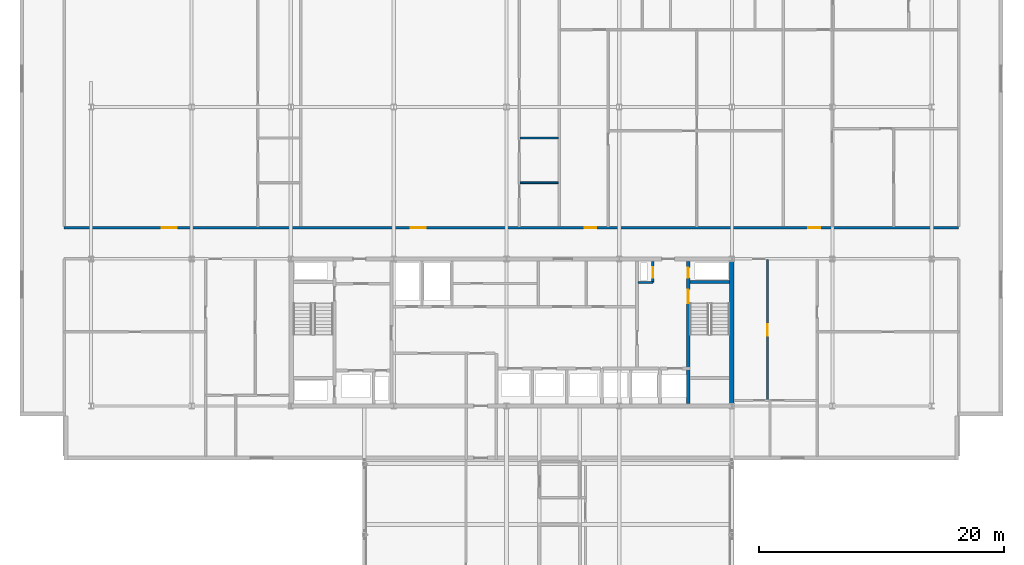
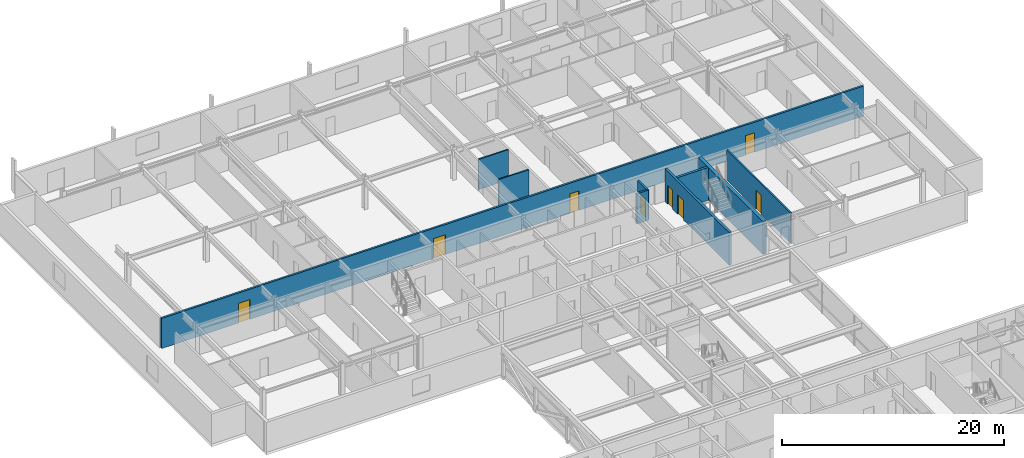
# One storey, part 26 of 36: 9 walls, 8 doors, 8 openings.
"""IFC4 building model written with IfcOpenShell, lengths in metres."""

from ifc_helpers import new_model, si_unit, direction, frame, frame_2d, origin, place, context, subcontext, project, spatial, rectangle, extrude, material, layer, layer_set, type_object, element, fill, save


model = new_model("IFC4")

# Units and contexts
model_context = context("Model", 3, precision=1e-05, world=origin(), true_north=direction((0.0, 1.0)))
body_context = subcontext(model_context, "Body", "Model", "MODEL_VIEW")
ifc_project = project(units=[si_unit("LENGTHUNIT", "METRE"), si_unit("AREAUNIT", "SQUARE_METRE"), si_unit("VOLUMEUNIT", "CUBIC_METRE"), si_unit("PLANEANGLEUNIT", "RADIAN"), si_unit("MASSUNIT", "GRAM", prefix="KILO")], contexts=[model_context])

# Site, building, storey
site_placement = place(None, origin())
site = spatial("IfcSite", under=ifc_project, at=site_placement, CompositionType="ELEMENT")
building_placement = place(site_placement, origin())
building = spatial("IfcBuilding", under=site, at=building_placement, Name="Korimba Cascade Residences", CompositionType="ELEMENT")
storey_placement = place(building_placement, frame((0.0, 0.0, 142.89990234375)))
storey = spatial("IfcBuildingStorey", under=building, at=storey_placement, Name="L41", CompositionType="ELEMENT", Elevation=142.89990234375)

# Wall
ifc_material_1 = material(Name="Concrete C65/80", Category="concrete")
ifc_layer_1 = layer(ifc_material_1, 0.35009765625)
ifc_layer_set_1 = layer_set([ifc_layer_1], Name="Concrete C65/80")
wall_type_1 = type_object("IfcWallType", Name="WAL-CORE-350", PredefinedType="SHEAR", material=ifc_layer_set_1)
wall_1_placement = place(storey_placement, frame((112.074951171875, 55.375, 0.0), z_axis=(0.0, 0.0, 1.0), x_axis=(0.0, 1.0, 0.0)))
element("IfcWall", 1, at=wall_1_placement, inside=storey, type_object=wall_type_1, Name="L41 Core Shear Wall CW-L41-T1-E", PredefinedType="SHEAR", context=body_context, shape_type="SweptSolid", body=[
    extrude(rectangle(XDim=11.64990234375, YDim=0.35009765625, at=frame_2d((5.824951171875, 0.0))), origin(), (0.0, 0.0, 1.0), 3.60009765625),
])

# Wall, openings, doors
ifc_material_2 = material(Name="Precast concrete C40/50", Category="concrete")
ifc_layer_2 = layer(ifc_material_2, 0.199951171875)
ifc_layer_set_2 = layer_set([ifc_layer_2], Name="Precast concrete C40/50")
wall_type_2 = type_object("IfcWallType", Name="WAL-IT-200", PredefinedType="PARTITIONING", material=ifc_layer_set_2)
wall_2_placement = place(storey_placement, frame((57.60009765625, 69.75, 0.0), z_axis=(0.0, 0.0, 1.0), x_axis=(1.0, 0.0, 0.0)))
wall_2 = element("IfcWall", 2, at=wall_2_placement, inside=storey, type_object=wall_type_2, Name="L41 Partition Wall WAL-L41-T1-CORN", PredefinedType="PARTITIONING", context=body_context, shape_type="SweptSolid", body=[
    extrude(rectangle(XDim=73.0, YDim=0.199951171875, at=frame_2d((36.5, 0.0))), origin(), (0.0, 0.0, 1.0), 3.31005859375),
])
opening_1_placement = place(wall_2_placement, frame((7.967041015625, 0.0, 0.0)))
opening_1 = element("IfcOpeningElement", 3, at=opening_1_placement, cuts=wall_2, Name="Opening D-AM1", PredefinedType="OPENING", context=body_context, shape_type="SweptSolid", body=[
    extrude(rectangle(XDim=1.219970703125, YDim=2.179931640625, at=frame_2d((0.60986328125, 1.08984375))), frame((0.0, 0.10986328125, 0.0), z_axis=(0.0, -1.0, 0.0), x_axis=(1.0, 0.0, 0.0)), (0.0, 0.0, 1.0), 0.219970703125),
])
opening_2_placement = place(wall_2_placement, frame((28.29296875, 0.0, 0.0)))
opening_2 = element("IfcOpeningElement", 4, at=opening_2_placement, cuts=wall_2, Name="Opening D-AM1", PredefinedType="OPENING", context=body_context, shape_type="SweptSolid", body=[
    extrude(rectangle(XDim=1.219970703125, YDim=2.179931640625, at=frame_2d((0.60986328125, 1.08984375))), frame((0.0, 0.10986328125, 0.0), z_axis=(0.0, -1.0, 0.0), x_axis=(1.0, 0.0, 0.0)), (0.0, 0.0, 1.0), 0.219970703125),
])
opening_3_placement = place(wall_2_placement, frame((42.46630859375, 0.0, 0.0)))
opening_3 = element("IfcOpeningElement", 5, at=opening_3_placement, cuts=wall_2, Name="Opening D-UN1", PredefinedType="OPENING", context=body_context, shape_type="SweptSolid", body=[
    extrude(rectangle(XDim=0.949951171875, YDim=2.14990234375, at=frame_2d((0.47509765625, 1.074951171875))), frame((0.0, 0.10986328125, 0.0), z_axis=(0.0, -1.0, 0.0), x_axis=(1.0, 0.0, 0.0)), (0.0, 0.0, 1.0), 0.219970703125),
])
opening_4_placement = place(wall_2_placement, frame((60.73779296875, 0.0, 0.0)))
opening_4 = element("IfcOpeningElement", 6, at=opening_4_placement, cuts=wall_2, Name="Opening D-UN1", PredefinedType="OPENING", context=body_context, shape_type="SweptSolid", body=[
    extrude(rectangle(XDim=0.949951171875, YDim=2.14990234375, at=frame_2d((0.47509765625, 1.074951171875))), frame((0.0, 0.10986328125, 0.0), z_axis=(0.0, -1.0, 0.0), x_axis=(1.0, 0.0, 0.0)), (0.0, 0.0, 1.0), 0.219970703125),
])
ifc_material_3 = material(Name="Fire-Rated Glazed Timber Suite Door", Category="wood")
door_type_1 = type_object("IfcDoorType", Name="DR-FD60-1200", OperationType="NOTDEFINED", PredefinedType="DOOR", material=ifc_material_3)
door_1_placement = place(opening_1_placement, origin())
door_1 = element("IfcDoor", 7, at=door_1_placement, inside=storey, type_object=door_type_1, Name="L41-T1-U01 Resident Conference Room Door", OperationType="SINGLE_SWING_LEFT", OverallHeight=2.179931640625, OverallWidth=1.219970703125, PredefinedType="DOOR", context=body_context, shape_type="SweptSolid", body=[
    extrude(rectangle(XDim=1.219970703125, YDim=2.179931640625, at=frame_2d((0.60986328125, 1.08984375))), frame((0.0, 0.02490234375, 0.0), z_axis=(0.0, -1.0, 0.0), x_axis=(1.0, 0.0, 0.0)), (0.0, 0.0, 1.0), 0.050048828125),
])
fill(opening_1, door_1)
door_2_placement = place(opening_2_placement, origin())
door_2 = element("IfcDoor", 8, at=door_2_placement, inside=storey, type_object=door_type_1, Name="L41-T1-U02 Executive Co-Working Office Door", OperationType="SINGLE_SWING_RIGHT", OverallHeight=2.179931640625, OverallWidth=1.219970703125, PredefinedType="DOOR", context=body_context, shape_type="SweptSolid", body=[
    extrude(rectangle(XDim=1.219970703125, YDim=2.179931640625, at=frame_2d((0.60986328125, 1.08984375))), frame((0.0, 0.02490234375, 0.0), z_axis=(0.0, -1.0, 0.0), x_axis=(1.0, 0.0, 0.0)), (0.0, 0.0, 1.0), 0.050048828125),
])
fill(opening_2, door_2)
ifc_material_4 = material(Name="Fire-Rated Hardwood Apartment Entrance Door", Category="wood")
door_type_2 = type_object("IfcDoorType", Name="DR-FD60-950", OperationType="NOTDEFINED", PredefinedType="DOOR", material=ifc_material_4)
door_3_placement = place(opening_3_placement, origin())
door_3 = element("IfcDoor", 9, at=door_3_placement, inside=storey, type_object=door_type_2, Name="Unit L41-T1-U03 Entrance Door", OperationType="SINGLE_SWING_LEFT", OverallHeight=2.14990234375, OverallWidth=0.949951171875, PredefinedType="DOOR", context=body_context, shape_type="SweptSolid", body=[
    extrude(rectangle(XDim=0.949951171875, YDim=2.14990234375, at=frame_2d((0.47509765625, 1.074951171875))), frame((0.0, 0.02490234375, 0.0), z_axis=(0.0, -1.0, 0.0), x_axis=(1.0, 0.0, 0.0)), (0.0, 0.0, 1.0), 0.050048828125),
])
fill(opening_3, door_3)
door_4_placement = place(opening_4_placement, origin())
door_4 = element("IfcDoor", 10, at=door_4_placement, inside=storey, type_object=door_type_2, Name="Unit L41-T1-U04 Entrance Door", OperationType="SINGLE_SWING_RIGHT", OverallHeight=2.14990234375, OverallWidth=0.949951171875, PredefinedType="DOOR", context=body_context, shape_type="SweptSolid", body=[
    extrude(rectangle(XDim=0.949951171875, YDim=2.14990234375, at=frame_2d((0.47509765625, 1.074951171875))), frame((0.0, 0.02490234375, 0.0), z_axis=(0.0, -1.0, 0.0), x_axis=(1.0, 0.0, 0.0)), (0.0, 0.0, 1.0), 0.050048828125),
])
fill(opening_4, door_4)

# Wall, opening, door
ifc_material_5 = material(Name="Insulated Acoustic Stud Partition", Category="gypsum")
ifc_layer_3 = layer(ifc_material_5, 0.14990234375)
ifc_layer_set_3 = layer_set([ifc_layer_3], Name="Insulated Acoustic Stud Partition")
wall_type_3 = type_object("IfcWallType", Name="WAL-PART-150", PredefinedType="PARTITIONING", material=ifc_layer_set_3)
wall_3_placement = place(storey_placement, frame((115.0, 55.64990234375, 0.0), z_axis=(0.0, 0.0, 1.0), x_axis=(0.0, 1.0, 0.0)))
wall_3 = element("IfcWall", 11, at=wall_3_placement, inside=storey, type_object=wall_type_3, Name="L41 Partition Wall WAL-L41-T1-FE-VN", PredefinedType="PARTITIONING", context=body_context, shape_type="SweptSolid", body=[
    extrude(rectangle(XDim=11.5, YDim=0.14990234375, at=frame_2d((5.75, 0.0))), origin(), (0.0, 0.0, 1.0), 3.31005859375),
])
opening_5_placement = place(wall_3_placement, frame((5.2900390625, 0.0, 0.0)))
opening_5 = element("IfcOpeningElement", 12, at=opening_5_placement, cuts=wall_3, Name="Opening D-IN1", PredefinedType="OPENING", context=body_context, shape_type="SweptSolid", body=[
    extrude(rectangle(XDim=0.919921875, YDim=2.080078125, at=frame_2d((0.4599609375, 1.0400390625))), frame((0.0, 0.0849609375, 0.0), z_axis=(0.0, -1.0, 0.0), x_axis=(1.0, 0.0, 0.0)), (0.0, 0.0, 1.0), 0.169921875),
])
ifc_material_6 = material(Name="Acoustic Timber Living Door", Category="wood")
door_type_3 = type_object("IfcDoorType", Name="DR-INT-920", OperationType="NOTDEFINED", PredefinedType="DOOR", material=ifc_material_6)
door_5_placement = place(opening_5_placement, origin())
door_5 = element("IfcDoor", 13, at=door_5_placement, inside=storey, type_object=door_type_3, Name="L41-T1-FE Living Door", OperationType="SINGLE_SWING_LEFT", OverallHeight=2.080078125, OverallWidth=0.919921875, PredefinedType="DOOR", context=body_context, shape_type="SweptSolid", body=[
    extrude(rectangle(XDim=0.919921875, YDim=2.080078125, at=frame_2d((0.4599609375, 1.0400390625))), frame((0.0, 0.02490234375, 0.0), z_axis=(0.0, -1.0, 0.0), x_axis=(1.0, 0.0, 0.0)), (0.0, 0.0, 1.0), 0.050048828125),
])
fill(opening_5, door_5)

# Walls
for number, where, z_axis, x_axis, name in (
    (14, (94.811279296875, 73.419921875, 0.0), (0.0, 0.0, 1.0), (1.0, 0.0, 0.0), "L41 Partition Wall WAL-L41-T1-U02-WCH"),
    (15, (94.811279296875, 77.070068359375, 0.0), (0.0, 0.0, 1.0), (1.0, 0.0, 0.0), "L41 Partition Wall WAL-L41-T1-U02-WCH2"),
):
    element("IfcWall", number, at=place(storey_placement, frame(where, z_axis=z_axis, x_axis=x_axis)), inside=storey, type_object=wall_type_3, Name=name, PredefinedType="PARTITIONING", context=body_context, shape_type="SweptSolid", body=[
        extrude(rectangle(XDim=3.130126953125, YDim=0.14990234375, at=frame_2d((1.56494140625, 0.0))), origin(), (0.0, 0.0, 1.0), 3.31005859375),
    ])
ifc_material_7 = material(Name="Concrete C40/50", Category="concrete")
ifc_layer_4 = layer(ifc_material_7, 0.199951171875)
ifc_layer_set_4 = layer_set([ifc_layer_4], Name="Concrete C40/50")
wall_type_4 = type_object("IfcWallType", Name="WAL-PART-200", PredefinedType="PARTITIONING", material=ifc_layer_set_4)
wall_4_placement = place(storey_placement, frame((104.449951171875, 65.280029296875, 0.0), z_axis=(0.0, 0.0, 1.0), x_axis=(1.0, 0.0, 0.0)))
element("IfcWall", 16, at=wall_4_placement, inside=storey, type_object=wall_type_4, Name="L41 Partition Wall CW-L41-T1-HYDW2S", PredefinedType="PARTITIONING", context=body_context, shape_type="SweptSolid", body=[
    extrude(rectangle(XDim=1.199951171875, YDim=0.199951171875, at=frame_2d((0.60009765625, 0.0))), origin(), (0.0, 0.0, 1.0), 3.31005859375),
])

# Wall, opening, door
wall_5_placement = place(storey_placement, frame((105.64990234375, 65.280029296875, 0.0), z_axis=(0.0, 0.0, 1.0), x_axis=(0.0, 1.0, 0.0)))
wall_5 = element("IfcWall", 17, at=wall_5_placement, inside=storey, type_object=wall_type_4, Name="L41 Partition Wall CW-L41-T1-HYDW2E", PredefinedType="PARTITIONING", context=body_context, shape_type="SweptSolid", body=[
    extrude(rectangle(XDim=1.719970703125, YDim=0.199951171875, at=frame_2d((0.85986328125, 0.0))), origin(), (0.0, 0.0, 1.0), 3.31005859375),
])
opening_6_placement = place(wall_5_placement, frame((0.39990234375, 0.0, 0.0)))
opening_6 = element("IfcOpeningElement", 18, at=opening_6_placement, cuts=wall_5, Name="Opening D-RS1", PredefinedType="OPENING", context=body_context, shape_type="SweptSolid", body=[
    extrude(rectangle(XDim=0.85009765625, YDim=2.050048828125, at=frame_2d((0.425048828125, 1.02490234375))), frame((0.0, 0.10986328125, 0.0), z_axis=(0.0, -1.0, 0.0), x_axis=(1.0, 0.0, 0.0)), (0.0, 0.0, 1.0), 0.219970703125),
])
ifc_material_8 = material(Name="Fire-Rated Steel Riser Access Door", Category="steel")
door_type_4 = type_object("IfcDoorType", Name="DR-FD60-850", OperationType="NOTDEFINED", PredefinedType="DOOR", material=ifc_material_8)
door_6_placement = place(opening_6_placement, origin())
door_6 = element("IfcDoor", 19, at=door_6_placement, inside=storey, type_object=door_type_4, Name="L41 East Hydrant Door", OperationType="SINGLE_SWING_LEFT", OverallHeight=2.050048828125, OverallWidth=0.85009765625, PredefinedType="DOOR", context=body_context, shape_type="SweptSolid", body=[
    extrude(rectangle(XDim=0.85009765625, YDim=2.050048828125, at=frame_2d((0.425048828125, 1.02490234375))), frame((0.0, 0.02490234375, 0.0), z_axis=(0.0, -1.0, 0.0), x_axis=(1.0, 0.0, 0.0)), (0.0, 0.0, 1.0), 0.050048828125),
])
fill(opening_6, door_6)

# Wall, openings, doors
ifc_material_9 = material(Name="Concrete C50/60", Category="concrete")
ifc_layer_5 = layer(ifc_material_9, 0.25)
ifc_layer_set_5 = layer_set([ifc_layer_5], Name="Concrete C50/60")
wall_type_5 = type_object("IfcWallType", Name="WAL-SHAFT-250", PredefinedType="SHEAR", material=ifc_layer_set_5)
wall_6_placement = place(storey_placement, frame((108.534912109375, 55.39990234375, 0.0), z_axis=(0.0, 0.0, 1.0), x_axis=(0.0, 1.0, 0.0)))
wall_6 = element("IfcWall", 20, at=wall_6_placement, inside=storey, type_object=wall_type_5, Name="L41 Core Shear Wall CW-L41-T1-STW2W", PredefinedType="SHEAR", context=body_context, shape_type="SweptSolid", body=[
    extrude(rectangle(XDim=11.60009765625, YDim=0.25, at=frame_2d((5.800048828125, 0.0))), origin(), (0.0, 0.0, 1.0), 3.60009765625),
])
opening_7_placement = place(wall_6_placement, frame((8.199951171875, 0.0, 0.0)))
opening_7 = element("IfcOpeningElement", 21, at=opening_7_placement, cuts=wall_6, Name="Opening D-FD1", PredefinedType="OPENING", context=body_context, shape_type="SweptSolid", body=[
    extrude(rectangle(XDim=1.10009765625, YDim=2.10009765625, at=frame_2d((0.550048828125, 1.050048828125))), frame((0.0, 0.135009765625, 0.0), z_axis=(0.0, -1.0, 0.0), x_axis=(1.0, 0.0, 0.0)), (0.0, 0.0, 1.0), 0.27001953125),
])
opening_8_placement = place(wall_6_placement, frame((10.25, 0.0, 0.0)))
opening_8 = element("IfcOpeningElement", 22, at=opening_8_placement, cuts=wall_6, Name="Opening D-RS1", PredefinedType="OPENING", context=body_context, shape_type="SweptSolid", body=[
    extrude(rectangle(XDim=0.85009765625, YDim=2.050048828125, at=frame_2d((0.425048828125, 1.02490234375))), frame((0.0, 0.135009765625, 0.0), z_axis=(0.0, -1.0, 0.0), x_axis=(1.0, 0.0, 0.0)), (0.0, 0.0, 1.0), 0.27001953125),
])
ifc_material_10 = material(Name="Fire-Rated Steel Core Door", Category="steel")
door_type_5 = type_object("IfcDoorType", Name="DR-FD120-1100", OperationType="NOTDEFINED", PredefinedType="DOOR", material=ifc_material_10)
door_7_placement = place(opening_7_placement, origin())
door_7 = element("IfcDoor", 23, at=door_7_placement, inside=storey, type_object=door_type_5, Name="L41 Fire Stair ST-W2 Door", OperationType="SINGLE_SWING_LEFT", OverallHeight=2.10009765625, OverallWidth=1.10009765625, PredefinedType="DOOR", context=body_context, shape_type="SweptSolid", body=[
    extrude(rectangle(XDim=1.10009765625, YDim=2.10009765625, at=frame_2d((0.550048828125, 1.050048828125))), frame((0.0, 0.02490234375, 0.0), z_axis=(0.0, -1.0, 0.0), x_axis=(1.0, 0.0, 0.0)), (0.0, 0.0, 1.0), 0.050048828125),
])
fill(opening_7, door_7)
door_8_placement = place(opening_8_placement, origin())
door_8 = element("IfcDoor", 24, at=door_8_placement, inside=storey, type_object=door_type_4, Name="L41 East Riser Door", OperationType="SINGLE_SWING_RIGHT", OverallHeight=2.050048828125, OverallWidth=0.85009765625, PredefinedType="DOOR", context=body_context, shape_type="SweptSolid", body=[
    extrude(rectangle(XDim=0.85009765625, YDim=2.050048828125, at=frame_2d((0.425048828125, 1.02490234375))), frame((0.0, 0.02490234375, 0.0), z_axis=(0.0, -1.0, 0.0), x_axis=(1.0, 0.0, 0.0)), (0.0, 0.0, 1.0), 0.050048828125),
])
fill(opening_8, door_8)

# Wall
wall_7_placement = place(storey_placement, frame((108.659912109375, 65.324951171875, 0.0), z_axis=(0.0, 0.0, 1.0), x_axis=(1.0, 0.0, 0.0)))
element("IfcWall", 25, at=wall_7_placement, inside=storey, type_object=wall_type_5, Name="L41 Core Shear Wall CW-L41-T1-STW2N", PredefinedType="SHEAR", context=body_context, shape_type="SweptSolid", body=[
    extrude(rectangle(XDim=3.239990234375, YDim=0.25, at=frame_2d((1.6201171875, 0.0))), origin(), (0.0, 0.0, 1.0), 3.60009765625),
])

save(model, "model.ifc")
